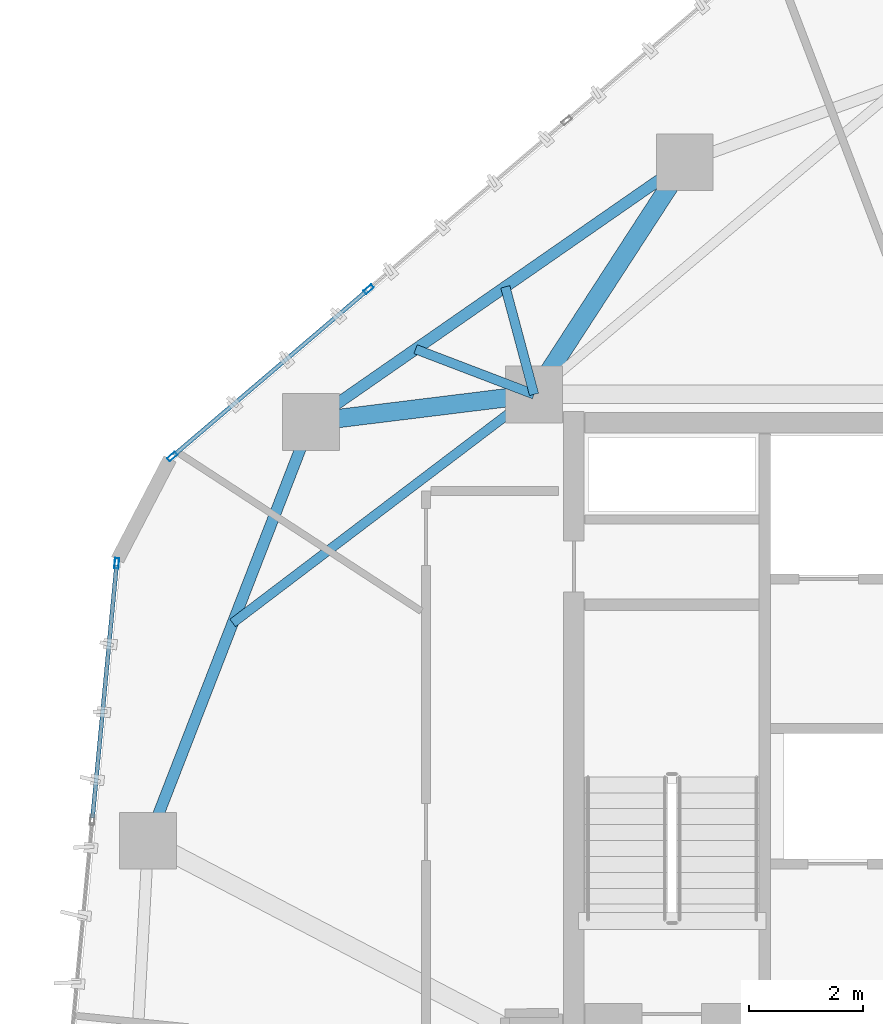
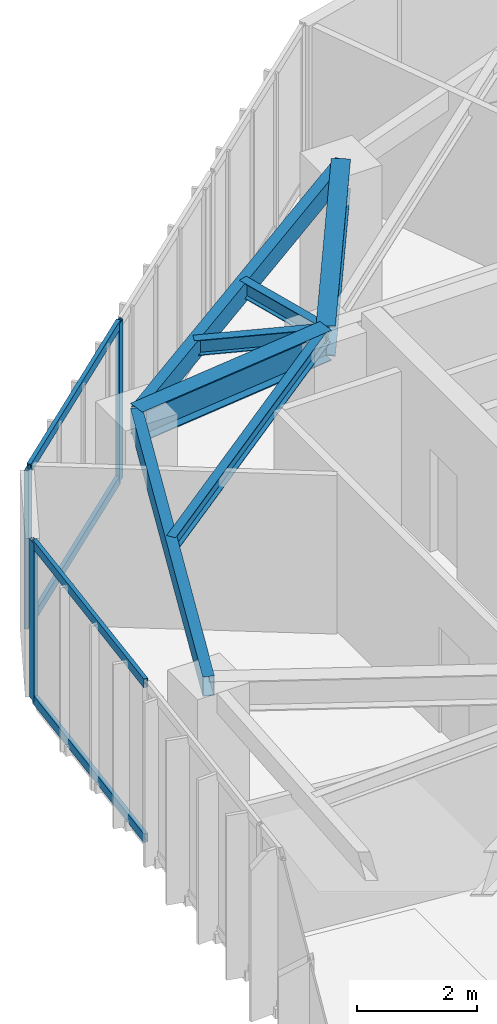
# One storey, part 8 of 21: 7 beams, 7 members, 2 elements without a shape of their own.
"""IFC4 building model written with IfcOpenShell, lengths in metres."""

from ifc_helpers import new_model, si_unit, direction, frame, origin, origin_2d, place, context, subcontext, project, spatial, hollow_rectangle, i_section, extrude, source, transform, mapped, material, layer, layer_set, material_profile, profile_set, type_object, type_shapes, element, aggregate, save


model = new_model("IFC4")

# Units and contexts
model_context = context("Model", 3, precision=1e-05, world=origin(), true_north=direction((0.0, 1.0)))
body_context = subcontext(model_context, "Body", "Model", "MODEL_VIEW")
ifc_project = project(units=[si_unit("LENGTHUNIT", "METRE"), si_unit("AREAUNIT", "SQUARE_METRE"), si_unit("VOLUMEUNIT", "CUBIC_METRE"), si_unit("PLANEANGLEUNIT", "RADIAN"), si_unit("MASSUNIT", "GRAM", prefix="KILO")], contexts=[model_context])

# Site, building, storey
site_placement = place(None, origin())
site = spatial("IfcSite", under=ifc_project, at=site_placement, CompositionType="ELEMENT")
building_placement = place(site_placement, origin())
building = spatial("IfcBuilding", under=site, at=building_placement, Name="Talar Marvaseh", CompositionType="ELEMENT")
storey_placement = place(building_placement, frame((0.0, 0.0, 225.699951171875)))
storey = spatial("IfcBuildingStorey", under=building, at=storey_placement, Name="L59", CompositionType="ELEMENT", Elevation=225.699951171875)

# Beams
ifc_material_1 = material(Name="Steel S355", Category="steel")
ifc_material_profile_1 = material_profile(ifc_material_1, hollow_rectangle(XDim=0.199951171875, YDim=0.39990234375, WallThickness=0.013916015625, at=origin_2d()), Name="RHS400x200x14")
ifc_profile_set_1 = profile_set([ifc_material_profile_1], Name="Steel S355")
beam_type_1 = type_object("IfcBeamType", Name="Zone 3 Perimeter Spandrel Beam RHS400x200x14", PredefinedType="SPANDREL", material=ifc_profile_set_1)
beam_1_placement = place(storey_placement, frame((11.908935546875, 29.044921875, 3.030029296875), z_axis=(0.362169134611, 0.932112395548, 0.0), x_axis=(-0.932112395548, 0.362169134611, 0.0)))
element("IfcBeam", 1, at=beam_1_placement, inside=storey, type_object=beam_type_1, Name="L59 Zone 3 Perimeter Spandrel Beam RHS400x200x14", PredefinedType="SPANDREL", context=body_context, shape_type="SweptSolid", body=[
    extrude(hollow_rectangle(XDim=0.199951171875, YDim=0.39990234375, WallThickness=0.013916015625, at=origin_2d()), origin(), (0.0, 0.0, 1.0), 7.907958984375),
])
beam_2_placement = place(storey_placement, frame((14.77294921875, 36.416015625, 3.030029296875), z_axis=(0.821296978901, 0.570500896098, 0.0), x_axis=(-0.570500896098, 0.821296978901, 0.0)))
element("IfcBeam", 2, at=beam_2_placement, inside=storey, type_object=beam_type_1, Name="L59 Zone 3 Perimeter Spandrel Beam RHS400x200x14", PredefinedType="SPANDREL", context=body_context, shape_type="SweptSolid", body=[
    extrude(hollow_rectangle(XDim=0.199951171875, YDim=0.39990234375, WallThickness=0.013916015625, at=origin_2d()), origin(), (0.0, 0.0, 1.0), 8.0107421875),
])
ifc_material_profile_2 = material_profile(ifc_material_1, i_section(OverallWidth=0.324951171875, OverallDepth=0.615966796875, WebThickness=0.013916015625, FlangeThickness=0.021484375, at=origin_2d()), Name="W610x174")
ifc_profile_set_2 = profile_set([ifc_material_profile_2], Name="Steel S355")
beam_type_2 = type_object("IfcBeamType", Name="Zone 3 Radial Floor Girder W610x174", PredefinedType="BEAM", material=ifc_profile_set_2)
beam_3_placement = place(storey_placement, frame((14.77294921875, 36.416015625, 2.922119140625), z_axis=(0.99249373738, 0.122295467049, 0.0), x_axis=(-0.122295467049, 0.99249373738, 0.0)))
element("IfcBeam", 3, at=beam_3_placement, inside=storey, type_object=beam_type_2, Name="L59 Zone 3 Radial Floor Girder W610x174", PredefinedType="BEAM", context=body_context, shape_type="SweptSolid", body=[
    extrude(i_section(OverallWidth=0.324951171875, OverallDepth=0.615966796875, WebThickness=0.013916015625, FlangeThickness=0.021484375, at=origin_2d()), origin(), (0.0, 0.0, 1.0), 3.956787109375),
])
beam_4_placement = place(storey_placement, frame((21.35205078125, 40.986083984375, 2.922119140625), z_axis=(-0.544422757063, -0.838810980849, 0.0), x_axis=(0.838810980849, -0.544422757063, 0.0)))
element("IfcBeam", 4, at=beam_4_placement, inside=storey, type_object=beam_type_2, Name="L59 Zone 3 Radial Floor Girder W610x174", PredefinedType="BEAM", context=body_context, shape_type="SweptSolid", body=[
    extrude(i_section(OverallWidth=0.324951171875, OverallDepth=0.615966796875, WebThickness=0.013916015625, FlangeThickness=0.021484375, at=origin_2d()), origin(), (0.0, 0.0, 1.0), 4.871337890625),
])
ifc_material_profile_3 = material_profile(ifc_material_1, i_section(OverallWidth=0.166015625, OverallDepth=0.31298828125, WebThickness=0.006591796875, FlangeThickness=0.01123046875, at=origin_2d()), Name="W310x45")
ifc_profile_set_3 = profile_set([ifc_material_profile_3], Name="Steel S355")
beam_type_3 = type_object("IfcBeamType", Name="Zone 3 Secondary Floor Joist W310x45", PredefinedType="JOIST", material=ifc_profile_set_3)
beam_5_placement = place(storey_placement, frame((13.398193359375, 32.8779296875, 3.073486328125), z_axis=(0.796694925744, 0.604381663598, 0.0), x_axis=(-0.604381663598, 0.796694925744, 0.0)))
element("IfcBeam", 5, at=beam_5_placement, inside=storey, type_object=beam_type_3, Name="L59 Zone 3 Secondary Floor Joist W310x45", PredefinedType="JOIST", context=body_context, shape_type="SweptSolid", body=[
    extrude(i_section(OverallWidth=0.166015625, OverallDepth=0.31298828125, WebThickness=0.006591796875, FlangeThickness=0.01123046875, at=origin_2d()), origin(), (0.0, 0.0, 1.0), 6.65478515625),
])
beam_6_placement = place(storey_placement, frame((16.614990234375, 37.695556640625, 3.073486328125), z_axis=(0.934281341688, -0.356536638473, 0.0), x_axis=(0.356536638473, 0.934281341688, 0.0)))
element("IfcBeam", 6, at=beam_6_placement, inside=storey, type_object=beam_type_3, Name="L59 Zone 3 Secondary Floor Joist W310x45", PredefinedType="JOIST", context=body_context, shape_type="SweptSolid", body=[
    extrude(i_section(OverallWidth=0.166015625, OverallDepth=0.31298828125, WebThickness=0.006591796875, FlangeThickness=0.01123046875, at=origin_2d()), origin(), (0.0, 0.0, 1.0), 2.231689453125),
])
beam_7_placement = place(storey_placement, frame((18.194091796875, 38.79248046875, 3.073486328125), z_axis=(0.258221088864, -0.966085849842, 0.0), x_axis=(0.966085849842, 0.258221088864, 0.0)))
element("IfcBeam", 7, at=beam_7_placement, inside=storey, type_object=beam_type_3, Name="L59 Zone 3 Secondary Floor Joist W310x45", PredefinedType="JOIST", context=body_context, shape_type="SweptSolid", body=[
    extrude(i_section(OverallWidth=0.166015625, OverallDepth=0.31298828125, WebThickness=0.006591796875, FlangeThickness=0.01123046875, at=origin_2d()), origin(), (0.0, 0.0, 1.0), 1.958984375),
])

# Curtain wall, member
ifc_material_2 = material(Name="Architectural Aluminium", Category="aluminium")
ifc_layer = layer(ifc_material_2, 0.18994140625)
ifc_layer_set = layer_set([ifc_layer], Name="Architectural Aluminium")
curtain_wall_type = type_object("IfcCurtainWallType", Name="Unitised Solar Atelier Curtain Wall Z3", PredefinedType="NOTDEFINED", material=ifc_layer_set)
curtain_wall_1_placement = place(storey_placement, origin())
curtain_wall_1 = element("IfcCurtainWall", 8, at=curtain_wall_1_placement, inside=storey, type_object=curtain_wall_type, Name="L59 Unitised Solar Atelier Curtain Wall Z3", PredefinedType="NOTDEFINED")
ifc_material_profile_4 = material_profile(ifc_material_2, hollow_rectangle(XDim=0.074951171875, YDim=0.179931640625, WallThickness=0.0048828125, at=origin_2d()), Name="RHS180x75x5")
ifc_profile_set_4 = profile_set([ifc_material_profile_4], Name="Architectural Aluminium")
member_type_1 = type_object("IfcMemberType", Name="Unitised Curtain Wall Standard Mullion RHS180x75x5", PredefinedType="MULLION", material=ifc_profile_set_4)
shared_shape_1 = source(origin(), body_context, "Body", "SweptSolid", [
    extrude(hollow_rectangle(XDim=0.074951171875, YDim=0.179931640625, WallThickness=0.0048828125, at=origin_2d()), origin(), (0.0, 0.0, 1.0), 3.22998046875),
])
type_shapes(member_type_1, [shared_shape_1])
member_1_placement = place(storey_placement, frame((11.357421875, 33.9287109375, 0.0), z_axis=(0.0, 0.0, 1.0), x_axis=(-0.995508620386, 0.094670939239, 0.0)))
member_1 = element("IfcMember", 9, at=member_1_placement, type_object=member_type_1, Name="CW-Z3 mullion 4", PredefinedType="MULLION", context=body_context, shape_type="MappedRepresentation", body=[
    mapped(shared_shape_1, transform((0.0, 0.0, 0.0), x_axis=(1.0, 0.0, 0.0), y_axis=(0.0, 1.0, 0.0), z_axis=(0.0, 0.0, 1.0), scale=1.0)),
])

# Curtain wall, members
curtain_wall_2_placement = place(storey_placement, origin())
curtain_wall_2 = element("IfcCurtainWall", 10, at=curtain_wall_2_placement, inside=storey, type_object=curtain_wall_type, Name="L59 Unitised Solar Atelier Curtain Wall Z3", PredefinedType="NOTDEFINED")
member_2_placement = place(storey_placement, frame((12.335205078125, 35.80712890625, 0.0), z_axis=(0.0, 0.0, 1.0), x_axis=(-0.648545540162, 0.761175855066, 0.0)))
member_2 = element("IfcMember", 11, at=member_2_placement, type_object=member_type_1, Name="CW-Z3 mullion 1", PredefinedType="MULLION", context=body_context, shape_type="MappedRepresentation", body=[
    mapped(shared_shape_1, transform((0.0, 0.0, 0.0), x_axis=(1.0, 0.0, 0.0), y_axis=(0.0, 1.0, 0.0), z_axis=(0.0, 0.0, 1.0), scale=1.0)),
])
member_3_placement = place(storey_placement, frame((15.790771484375, 38.75146484375, 0.0), z_axis=(0.0, 0.0, 1.0), x_axis=(-0.648545540162, 0.761175855066, 0.0)))
member_3 = element("IfcMember", 12, at=member_3_placement, type_object=member_type_1, Name="CW-Z3 mullion 2", PredefinedType="MULLION", context=body_context, shape_type="MappedRepresentation", body=[
    mapped(shared_shape_1, transform((0.0, 0.0, 0.0), x_axis=(1.0, 0.0, 0.0), y_axis=(0.0, 1.0, 0.0), z_axis=(0.0, 0.0, 1.0), scale=1.0)),
])

# Member
ifc_material_profile_5 = material_profile(ifc_material_2, hollow_rectangle(XDim=0.074951171875, YDim=0.179931640625, WallThickness=0.0048828125, at=origin_2d()), Name="RHS180x75x5")
ifc_profile_set_5 = profile_set([ifc_material_profile_5], Name="Architectural Aluminium")
member_type_2 = type_object("IfcMemberType", Name="Unitised Curtain Wall Transom RHS180x75x5", PredefinedType="USERDEFINED", material=ifc_profile_set_5)
shared_shape_2 = source(origin(), body_context, "Body", "SweptSolid", [
    extrude(hollow_rectangle(XDim=0.074951171875, YDim=0.179931640625, WallThickness=0.0048828125, at=origin_2d()), origin(), (0.0, 0.0, 1.0), 4.464599609375),
])
type_shapes(member_type_2, [shared_shape_2])
member_4_placement = place(storey_placement, frame((10.93115234375, 29.44677734375, 0.03759765625), z_axis=(0.094711031339, 0.995504806891, 0.0), x_axis=(-0.995504806891, 0.094711031339, 0.0)))
member_4 = element("IfcMember", 13, at=member_4_placement, type_object=member_type_2, Name="CW-Z3 transom 3.1", ObjectType="TRANSOM", PredefinedType="USERDEFINED", context=body_context, shape_type="MappedRepresentation", body=[
    mapped(shared_shape_2, transform((0.0, 0.0, 0.0), x_axis=(1.0, 0.0, 0.0), y_axis=(0.0, 1.0, 0.0), z_axis=(0.0, 0.0, 1.0), scale=1.0)),
])

member_5_placement = place(storey_placement, frame((10.93115234375, 29.44677734375, 3.192626953125), z_axis=(0.094711031339, 0.995504806891, 0.0), x_axis=(-0.995504806891, 0.094711031339, 0.0)))
member_5 = element("IfcMember", 14, at=member_5_placement, type_object=member_type_2, Name="CW-Z3 transom 3.2", ObjectType="TRANSOM", PredefinedType="USERDEFINED", context=body_context, shape_type="MappedRepresentation", body=[
    mapped(shared_shape_2, transform((0.0, 0.0, 0.0), x_axis=(1.0, 0.0, 0.0), y_axis=(0.0, 1.0, 0.0), z_axis=(0.0, 0.0, 1.0), scale=1.0)),
])

aggregate(curtain_wall_1, [member_1, member_4, member_5])

member_6_placement = place(storey_placement, frame((12.36376953125, 35.83154296875, 0.03759765625), z_axis=(0.761183241433, 0.648536870934, 0.0), x_axis=(-0.648536870934, 0.761183241433, 0.0)))
member_6 = element("IfcMember", 15, at=member_6_placement, type_object=member_type_2, Name="CW-Z3 transom 1.1", ObjectType="TRANSOM", PredefinedType="USERDEFINED", context=body_context, shape_type="MappedRepresentation", body=[
    mapped(shared_shape_2, transform((0.0, 0.0, 0.0), x_axis=(1.0, 0.0, 0.0), y_axis=(0.0, 1.0, 0.0), z_axis=(0.0, 0.0, 1.0), scale=1.0)),
])

member_7_placement = place(storey_placement, frame((12.36376953125, 35.83154296875, 3.192626953125), z_axis=(0.761183241433, 0.648536870934, 0.0), x_axis=(-0.648536870934, 0.761183241433, 0.0)))
member_7 = element("IfcMember", 16, at=member_7_placement, type_object=member_type_2, Name="CW-Z3 transom 1.2", ObjectType="TRANSOM", PredefinedType="USERDEFINED", context=body_context, shape_type="MappedRepresentation", body=[
    mapped(shared_shape_2, transform((0.0, 0.0, 0.0), x_axis=(1.0, 0.0, 0.0), y_axis=(0.0, 1.0, 0.0), z_axis=(0.0, 0.0, 1.0), scale=1.0)),
])

aggregate(curtain_wall_2, [member_2, member_3, member_6, member_7])

save(model, "model.ifc")
